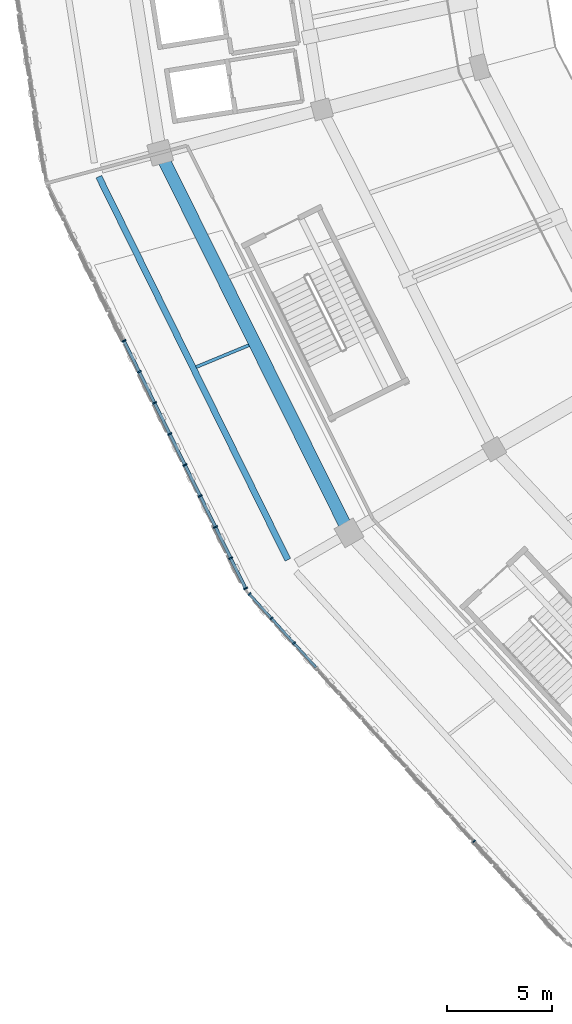
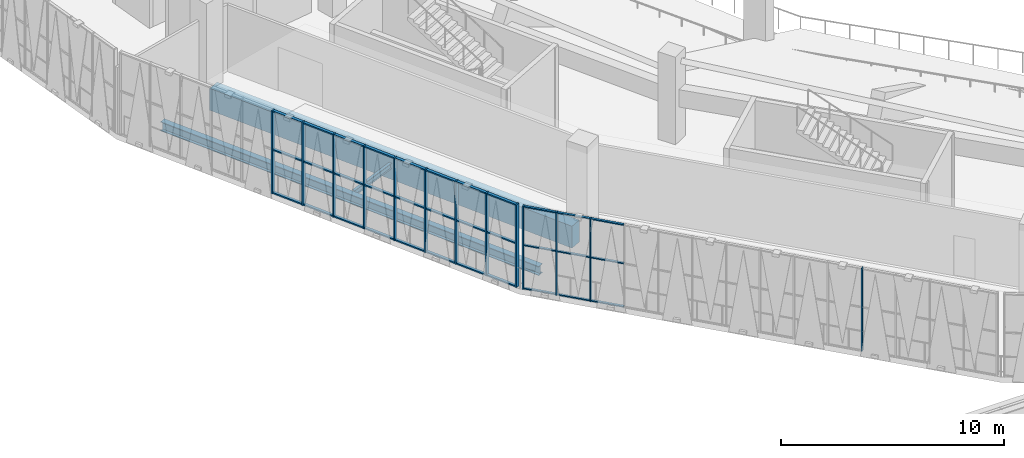
# One storey, part 7 of 152: 46 members, 3 beams, 2 elements without a shape of their own.
"""IFC4 building model written with IfcOpenShell, lengths in metres."""

import ifcopenshell
import ifcopenshell.guid

model = None  # the IFC model being written
_history = None  # IfcOwnerHistory: only IFC2X3 demands one
_inside = {}  # id of a spatial element -> (the spatial element, [elements in it])
_under = {}  # id of a project, library or spatial element -> (it, [spatial elements below it])
_declared = {}  # id of a project -> (the project, [libraries it declares])
_typed = {}  # id of a type object -> (the type object, [elements of that type])
_made_of = {}  # id of a material, layer set ... -> (it, [elements and type objects made of it])


def new_model(schema):
    """Start an empty IFC model of exactly this schema.

    Asked for "IFC4X3", IfcOpenShell would pick the latest addendum, in which some entities
    have other attributes; the version numbers below select the first issue.
    IFC2X3 requires an IfcOwnerHistory on every rooted entity: one is made here for all.
    """
    global model, _history
    if schema == "IFC4X3":
        model = ifcopenshell.file(schema_version=(4, 3, 0, 0))
    else:
        model = ifcopenshell.file(schema=schema)
    _inside.clear()
    _under.clear()
    _declared.clear()
    _typed.clear()
    _made_of.clear()
    _history = None
    if model.schema == "IFC2X3":
        org = make("IfcOrganization", Name="unknown")
        user = make(
            "IfcPersonAndOrganization",
            ThePerson=make("IfcPerson", FamilyName="unknown"),
            TheOrganization=org,
        )
        app = make(
            "IfcApplication",
            ApplicationDeveloper=org,
            Version="unknown",
            ApplicationFullName="unknown",
            ApplicationIdentifier="unknown",
        )
        _history = make(
            "IfcOwnerHistory",
            OwningUser=user,
            OwningApplication=app,
            ChangeAction="ADDED",
            CreationDate=0,
        )
    return model


def make(cls, **values):
    """One entity of the class cls with the attributes given. An attribute that is None is left unset."""
    return model.create_entity(
        cls, **{name: value for name, value in values.items() if value is not None}
    )


def rooted(cls, **values):
    """An entity with a GlobalId (a new one), such as an element, a storey or a relation."""
    return make(cls, GlobalId=ifcopenshell.guid.new(), OwnerHistory=_history, **values)


def si_unit(unit_type, name, prefix=None):
    """IfcSIUnit, for example si_unit("LENGTHUNIT", "METRE", prefix="MILLI")."""
    return make("IfcSIUnit", UnitType=unit_type, Prefix=prefix, Name=name)


def assignment(units):
    """IfcUnitAssignment: the units of a project."""
    return None if units is None else make("IfcUnitAssignment", Units=units)


def point(xyz):
    """IfcCartesianPoint."""
    return None if xyz is None else make("IfcCartesianPoint", Coordinates=xyz)


def direction(xyz):
    """IfcDirection."""
    return None if xyz is None else make("IfcDirection", DirectionRatios=xyz)


def frame(location, z_axis=None, x_axis=None):
    """IfcAxis2Placement3D, a coordinate frame: its origin and axes. An axis left out is left unset."""
    return make(
        "IfcAxis2Placement3D",
        Location=point(location),
        Axis=direction(z_axis),
        RefDirection=direction(x_axis),
    )


def frame_2d(location, x_axis=None):
    """IfcAxis2Placement2D, a coordinate frame in the plane: its origin and x axis."""
    return make(
        "IfcAxis2Placement2D", Location=point(location), RefDirection=direction(x_axis)
    )


def origin():
    """The frame at (0, 0, 0) with its axes left unset."""
    return frame((0.0, 0.0, 0.0))


def origin_2d():
    """The frame at (0, 0) in the plane with its x axis left unset."""
    return frame_2d((0.0, 0.0))


def place(relative_to, where):
    """IfcLocalPlacement: puts the frame where relative to a parent placement (None: the world)."""
    return make(
        "IfcLocalPlacement", PlacementRelTo=relative_to, RelativePlacement=where
    )


def context(
    kind, dimensions, precision=None, world=None, true_north=None, identifier=None
):
    """IfcGeometricRepresentationContext, for example the 3D "Model" context."""
    return make(
        "IfcGeometricRepresentationContext",
        ContextIdentifier=identifier,
        ContextType=kind,
        CoordinateSpaceDimension=dimensions,
        Precision=precision,
        WorldCoordinateSystem=world,
        TrueNorth=true_north,
    )


def subcontext(parent, identifier, kind, view, scale=None):
    """IfcGeometricRepresentationSubContext, for example "Body" below "Model"."""
    return make(
        "IfcGeometricRepresentationSubContext",
        ContextIdentifier=identifier,
        ContextType=kind,
        ParentContext=parent,
        TargetScale=scale,
        TargetView=view,
    )


def project(units=None, contexts=None):
    """IfcProject with its units and contexts."""
    return rooted(
        "IfcProject",
        Name="project",
        RepresentationContexts=contexts,
        UnitsInContext=assignment(units),
    )


def spatial(cls, under=None, at=None, **own):
    """A site, building, storey or space (cls), placed at a placement, below another one or the project."""
    s = rooted(cls, ObjectPlacement=at, **own)
    if under is not None:
        _under.setdefault(under.id(), (under, []))[1].append(s)
    return s


def profile(cls, at=None, kind="AREA", **sizes):
    """A parametric profile (cls). Its sizes go by their IFC names, for example OverallWidth=200.0."""
    return make(cls, ProfileType=kind, Position=at, **sizes)


def rectangle(**sizes):
    """IfcRectangleProfileDef."""
    return profile("IfcRectangleProfileDef", **sizes)


def i_section(**sizes):
    """IfcIShapeProfileDef."""
    return profile("IfcIShapeProfileDef", **sizes)


def extrude(swept, where, along, depth):
    """IfcExtrudedAreaSolid: the profile swept, set in the frame where, extruded along a direction by depth."""
    return make(
        "IfcExtrudedAreaSolid",
        SweptArea=swept,
        Position=where,
        ExtrudedDirection=direction(along),
        Depth=depth,
    )


def shape(context_of_items, identifier, shape_type, items):
    """IfcShapeRepresentation: the items that make up one representation, for example the "Body"."""
    return make(
        "IfcShapeRepresentation",
        ContextOfItems=context_of_items,
        RepresentationIdentifier=identifier,
        RepresentationType=shape_type,
        Items=items,
    )


def material(Name=None, Category=None):
    """IfcMaterial."""
    return make("IfcMaterial", Name=Name, Category=Category)


def material_profile(
    of_material, cross_section, Name=None, Category=None, Priority=None
):
    """IfcMaterialProfile: a cross section and its material."""
    return make(
        "IfcMaterialProfile",
        Name=Name,
        Material=of_material,
        Profile=cross_section,
        Priority=Priority,
        Category=Category,
    )


def profile_set(profiles, Name=None, composite=None):
    """IfcMaterialProfileSet."""
    return make(
        "IfcMaterialProfileSet",
        Name=Name,
        MaterialProfiles=profiles,
        CompositeProfile=composite,
    )


def made_of(thing, what):
    """Note that an element or type object is made of a material, layer set ...; save() writes the relation."""
    if what is not None:
        _made_of.setdefault(what.id(), (what, []))[1].append(thing)
    return thing


def type_object(cls, material=None, **own):
    """A type object (cls), such as IfcWallType, which elements share."""
    return made_of(rooted(cls, **own), material)


def element(
    cls,
    number,
    at=None,
    inside=None,
    cuts=None,
    type_object=None,
    material=None,
    context=None,
    identifier="Body",
    shape_type=None,
    held_by="IfcProductDefinitionShape",
    body=None,
    shapes=None,
    **own,
):
    """One element of the class cls, such as IfcWall. Its Tag is "e" and its number.

    at: its placement. inside: the storey or other place that contains it. cuts: it is an
    opening in that element (IfcRelVoidsElement). A single representation is given by context,
    identifier, shape_type and body (its items); several are given by shapes. held_by: the class
    of the entity that holds the representations. save() writes the other relations.
    """
    e = rooted(cls, Tag="e%d" % number, ObjectPlacement=at, **own)
    if body is not None:
        shapes = [shape(context, identifier, shape_type, body)]
    if shapes is not None:
        e.Representation = make(held_by, Representations=shapes)
    if inside is not None:
        _inside.setdefault(inside.id(), (inside, []))[1].append(e)
    if cuts is not None:
        rooted(
            "IfcRelVoidsElement", RelatingBuildingElement=cuts, RelatedOpeningElement=e
        )
    if type_object is not None:
        _typed.setdefault(type_object.id(), (type_object, []))[1].append(e)
    return made_of(e, material)


def aggregate(whole, parts):
    """IfcRelAggregates: a whole, such as a stair, and the parts it consists of."""
    return rooted("IfcRelAggregates", RelatingObject=whole, RelatedObjects=parts)


def save(model, path):
    """Write the relations noted so far, then the file.

    IfcRelAggregates (storeys below a building ...), IfcRelContainedInSpatialStructure (elements
    in a storey), IfcRelDefinesByType, IfcRelAssociatesMaterial and IfcRelDeclares: one each for
    every whole, place, type object, material and project.
    """
    for whole, parts in _under.values():
        aggregate(whole, parts)
    for where, things in _inside.values():
        rooted(
            "IfcRelContainedInSpatialStructure",
            RelatedElements=things,
            RelatingStructure=where,
        )
    for kind, things in _typed.values():
        rooted("IfcRelDefinesByType", RelatedObjects=things, RelatingType=kind)
    for what, things in _made_of.values():
        rooted("IfcRelAssociatesMaterial", RelatedObjects=things, RelatingMaterial=what)
    for by, libraries in _declared.values():
        rooted("IfcRelDeclares", RelatingContext=by, RelatedDefinitions=libraries)
    model.write(path)


model = new_model("IFC4")

# Units and contexts
model_context = context("Model", 3, precision=1e-05, world=origin(), true_north=direction((0.0, 1.0)))
body_context = subcontext(model_context, "Body", "Model", "MODEL_VIEW")
ifc_project = project(units=[si_unit("LENGTHUNIT", "METRE"), si_unit("AREAUNIT", "SQUARE_METRE"), si_unit("VOLUMEUNIT", "CUBIC_METRE"), si_unit("PLANEANGLEUNIT", "RADIAN"), si_unit("MASSUNIT", "GRAM", prefix="KILO")], contexts=[model_context])

# Site, building, storey
site_placement = place(None, origin())
site = spatial("IfcSite", under=ifc_project, at=site_placement, CompositionType="ELEMENT")
building_placement = place(site_placement, origin())
building = spatial("IfcBuilding", under=site, at=building_placement, Name="Zevraka Park Crest Stadium", CompositionType="ELEMENT")
storey_placement = place(building_placement, frame((0.0, 0.0, 15.0)))
storey = spatial("IfcBuildingStorey", under=building, at=storey_placement, Name="L03", CompositionType="ELEMENT", Elevation=15.0)

# Curtain wall, members
ifc_material_1 = material(Name="Anodised architectural aluminium and laminated safety glass", Category="aluminium")
curtain_wall_type_1 = type_object("IfcCurtainWallType", Name="CW13", PredefinedType="NOTDEFINED", material=ifc_material_1)
curtain_wall_1_placement = place(storey_placement, origin())
curtain_wall_1 = element("IfcCurtainWall", 1, at=curtain_wall_1_placement, inside=storey, type_object=curtain_wall_type_1, Name="Unitised Ring Curtain Wall CW13 L03-14", PredefinedType="NOTDEFINED")
ifc_material_2 = material(Name="Anodised architectural aluminium", Category="aluminium")
ifc_material_profile_1 = material_profile(ifc_material_2, rectangle(XDim=0.159912109375, YDim=0.06005859375, at=origin_2d()), Name="ALU MULLION 160x60")
ifc_profile_set_1 = profile_set([ifc_material_profile_1], Name="Anodised architectural aluminium")
member_type_1 = type_object("IfcMemberType", Name="CM01", PredefinedType="MULLION", material=ifc_profile_set_1)
member_1_placement = place(storey_placement, frame((29.03515625, 51.427734375, 0.0), z_axis=(0.0, 0.0, 1.0), x_axis=(0.739822878481, 0.672801685845, 0.0)))
member_1 = element("IfcMember", 2, at=member_1_placement, type_object=member_type_1, Name="CW13 mullion 1", PredefinedType="MULLION", context=body_context, shape_type="SweptSolid", body=[
    extrude(rectangle(XDim=0.159912109375, YDim=0.06005859375, at=origin_2d()), origin(), (0.0, 0.0, 1.0), 4.5400390625),
])
member_2_placement = place(storey_placement, frame((30.09130859375, 50.2666015625, 0.0), z_axis=(0.0, 0.0, 1.0), x_axis=(0.739822878481, 0.672801685845, 0.0)))
member_2 = element("IfcMember", 3, at=member_2_placement, type_object=member_type_1, Name="CW13 mullion 2", PredefinedType="MULLION", context=body_context, shape_type="SweptSolid", body=[
    extrude(rectangle(XDim=0.159912109375, YDim=0.06005859375, at=origin_2d()), origin(), (0.0, 0.0, 1.0), 4.5400390625),
])
member_3_placement = place(storey_placement, frame((31.16748046875, 49.0830078125, 0.0), z_axis=(0.0, 0.0, 1.0), x_axis=(0.739822878481, 0.672801685845, 0.0)))
member_3 = element("IfcMember", 4, at=member_3_placement, type_object=member_type_1, Name="CW13 mullion 3", PredefinedType="MULLION", context=body_context, shape_type="SweptSolid", body=[
    extrude(rectangle(XDim=0.159912109375, YDim=0.06005859375, at=origin_2d()), origin(), (0.0, 0.0, 1.0), 4.5400390625),
])
member_4_placement = place(storey_placement, frame((39.77783203125, 39.614990234375, 0.0), z_axis=(0.0, 0.0, 1.0), x_axis=(0.739822878481, 0.672801685845, 0.0)))
member_4 = element("IfcMember", 5, at=member_4_placement, type_object=member_type_1, Name="CW13 mullion 11", PredefinedType="MULLION", context=body_context, shape_type="SweptSolid", body=[
    extrude(rectangle(XDim=0.159912109375, YDim=0.06005859375, at=origin_2d()), origin(), (0.0, 0.0, 1.0), 4.5400390625),
])

ifc_material_3 = material(Name="Anodised architectural aluminium and laminated safety glass", Category="aluminium")
curtain_wall_type_2 = type_object("IfcCurtainWallType", Name="CW12", PredefinedType="NOTDEFINED", material=ifc_material_3)
curtain_wall_2_placement = place(storey_placement, origin())
curtain_wall_2 = element("IfcCurtainWall", 6, at=curtain_wall_2_placement, inside=storey, type_object=curtain_wall_type_2, Name="Unitised Ring Curtain Wall CW12 L03-13", PredefinedType="NOTDEFINED")
ifc_material_4 = material(Name="Anodised architectural aluminium", Category="aluminium")
ifc_material_profile_2 = material_profile(ifc_material_4, rectangle(XDim=0.199951171875, YDim=0.070068359375, at=origin_2d()), Name="ALU MULLION 200x70")
ifc_profile_set_2 = profile_set([ifc_material_profile_2], Name="Anodised architectural aluminium")
member_type_2 = type_object("IfcMemberType", Name="CM03", PredefinedType="MULLION", material=ifc_profile_set_2)
member_5_placement = place(storey_placement, frame((23.046142578125, 63.52880859375, 0.0), z_axis=(0.0, 0.0, 1.0), x_axis=(0.897670958396, 0.440666370912, 0.0)))
member_5 = element("IfcMember", 7, at=member_5_placement, type_object=member_type_2, Name="CW12 mullion 6", PredefinedType="MULLION", context=body_context, shape_type="SweptSolid", body=[
    extrude(rectangle(XDim=0.199951171875, YDim=0.070068359375, at=origin_2d()), origin(), (0.0, 0.0, 1.0), 4.5400390625),
])
member_6_placement = place(storey_placement, frame((23.7744140625, 62.045166015625, 0.0), z_axis=(0.0, 0.0, 1.0), x_axis=(0.897670958396, 0.440666370912, 0.0)))
member_6 = element("IfcMember", 8, at=member_6_placement, type_object=member_type_2, Name="CW12 mullion 7", PredefinedType="MULLION", context=body_context, shape_type="SweptSolid", body=[
    extrude(rectangle(XDim=0.199951171875, YDim=0.070068359375, at=origin_2d()), origin(), (0.0, 0.0, 1.0), 4.5400390625),
])
member_7_placement = place(storey_placement, frame((24.502685546875, 60.561767578125, 0.0), z_axis=(0.0, 0.0, 1.0), x_axis=(0.897670958396, 0.440666370912, 0.0)))
member_7 = element("IfcMember", 9, at=member_7_placement, type_object=member_type_2, Name="CW12 mullion 8", PredefinedType="MULLION", context=body_context, shape_type="SweptSolid", body=[
    extrude(rectangle(XDim=0.199951171875, YDim=0.070068359375, at=origin_2d()), origin(), (0.0, 0.0, 1.0), 4.5400390625),
])
member_8_placement = place(storey_placement, frame((25.23095703125, 59.078369140625, 0.0), z_axis=(0.0, 0.0, 1.0), x_axis=(0.897670958396, 0.440666370912, 0.0)))
member_8 = element("IfcMember", 10, at=member_8_placement, type_object=member_type_2, Name="CW12 mullion 9", PredefinedType="MULLION", context=body_context, shape_type="SweptSolid", body=[
    extrude(rectangle(XDim=0.199951171875, YDim=0.070068359375, at=origin_2d()), origin(), (0.0, 0.0, 1.0), 4.5400390625),
])
member_9_placement = place(storey_placement, frame((25.958984375, 57.5947265625, 0.0), z_axis=(0.0, 0.0, 1.0), x_axis=(0.897670958396, 0.440666370912, 0.0)))
member_9 = element("IfcMember", 11, at=member_9_placement, type_object=member_type_2, Name="CW12 mullion 10", PredefinedType="MULLION", context=body_context, shape_type="SweptSolid", body=[
    extrude(rectangle(XDim=0.199951171875, YDim=0.070068359375, at=origin_2d()), origin(), (0.0, 0.0, 1.0), 4.5400390625),
])
member_10_placement = place(storey_placement, frame((26.687255859375, 56.111328125, 0.0), z_axis=(0.0, 0.0, 1.0), x_axis=(0.897670958396, 0.440666370912, 0.0)))
member_10 = element("IfcMember", 12, at=member_10_placement, type_object=member_type_2, Name="CW12 mullion 11", PredefinedType="MULLION", context=body_context, shape_type="SweptSolid", body=[
    extrude(rectangle(XDim=0.199951171875, YDim=0.070068359375, at=origin_2d()), origin(), (0.0, 0.0, 1.0), 4.5400390625),
])
member_11_placement = place(storey_placement, frame((27.41552734375, 54.6279296875, 0.0), z_axis=(0.0, 0.0, 1.0), x_axis=(0.897670958396, 0.440666370912, 0.0)))
member_11 = element("IfcMember", 13, at=member_11_placement, type_object=member_type_2, Name="CW12 mullion 12", PredefinedType="MULLION", context=body_context, shape_type="SweptSolid", body=[
    extrude(rectangle(XDim=0.199951171875, YDim=0.070068359375, at=origin_2d()), origin(), (0.0, 0.0, 1.0), 4.5400390625),
])
member_12_placement = place(storey_placement, frame((28.143798828125, 53.14453125, 0.0), z_axis=(0.0, 0.0, 1.0), x_axis=(0.897670958396, 0.440666370912, 0.0)))
member_12 = element("IfcMember", 14, at=member_12_placement, type_object=member_type_2, Name="CW12 mullion 13", PredefinedType="MULLION", context=body_context, shape_type="SweptSolid", body=[
    extrude(rectangle(XDim=0.199951171875, YDim=0.070068359375, at=origin_2d()), origin(), (0.0, 0.0, 1.0), 4.5400390625),
])
member_13_placement = place(storey_placement, frame((28.856689453125, 51.6923828125, 0.0), z_axis=(0.0, 0.0, 1.0), x_axis=(0.897670958396, 0.440666370912, 0.0)))
member_13 = element("IfcMember", 15, at=member_13_placement, type_object=member_type_2, Name="CW12 mullion 14", PredefinedType="MULLION", context=body_context, shape_type="SweptSolid", body=[
    extrude(rectangle(XDim=0.199951171875, YDim=0.070068359375, at=origin_2d()), origin(), (0.0, 0.0, 1.0), 4.5400390625),
])

# Member
ifc_material_5 = material(Name="Anodised architectural aluminium", Category="aluminium")
ifc_material_profile_3 = material_profile(ifc_material_5, rectangle(XDim=0.1201171875, YDim=0.06005859375, at=origin_2d()), Name="ALU TRANSOM 120x60")
ifc_profile_set_3 = profile_set([ifc_material_profile_3], Name="Anodised architectural aluminium")
member_type_3 = type_object("IfcMemberType", Name="CT01", PredefinedType="USERDEFINED", material=ifc_profile_set_3)
member_14_placement = place(storey_placement, frame((29.055419921875, 51.405517578125, 0.030029296875), z_axis=(0.672753283904, -0.739866892756, 0.0), x_axis=(0.739866892756, 0.672753283904, 0.0)))
member_14 = element("IfcMember", 16, at=member_14_placement, type_object=member_type_3, Name="CW13 transom 1.1", ObjectType="TRANSOM", PredefinedType="USERDEFINED", context=body_context, shape_type="SweptSolid", body=[
    extrude(rectangle(XDim=0.1201171875, YDim=0.06005859375, at=origin_2d()), origin(), (0.0, 0.0, 1.0), 1.509765625),
])

member_15_placement = place(storey_placement, frame((29.055419921875, 51.405517578125, 2.39990234375), z_axis=(0.672753283904, -0.739866892756, 0.0), x_axis=(0.739866892756, 0.672753283904, 0.0)))
member_15 = element("IfcMember", 17, at=member_15_placement, type_object=member_type_3, Name="CW13 transom 1.2", ObjectType="TRANSOM", PredefinedType="USERDEFINED", context=body_context, shape_type="SweptSolid", body=[
    extrude(rectangle(XDim=0.1201171875, YDim=0.06005859375, at=origin_2d()), origin(), (0.0, 0.0, 1.0), 1.509765625),
])

member_16_placement = place(storey_placement, frame((29.055419921875, 51.405517578125, 4.510009765625), z_axis=(0.672753283904, -0.739866892756, 0.0), x_axis=(0.739866892756, 0.672753283904, 0.0)))
member_16 = element("IfcMember", 18, at=member_16_placement, type_object=member_type_3, Name="CW13 transom 1.3", ObjectType="TRANSOM", PredefinedType="USERDEFINED", context=body_context, shape_type="SweptSolid", body=[
    extrude(rectangle(XDim=0.1201171875, YDim=0.06005859375, at=origin_2d()), origin(), (0.0, 0.0, 1.0), 1.509765625),
])

member_17_placement = place(storey_placement, frame((30.111572265625, 50.244384765625, 0.030029296875), z_axis=(0.672775385986, -0.739846794959, 0.0), x_axis=(0.739846794959, 0.672775385986, 0.0)))
member_17 = element("IfcMember", 19, at=member_17_placement, type_object=member_type_3, Name="CW13 transom 2.1", ObjectType="TRANSOM", PredefinedType="USERDEFINED", context=body_context, shape_type="SweptSolid", body=[
    extrude(rectangle(XDim=0.1201171875, YDim=0.06005859375, at=origin_2d()), origin(), (0.0, 0.0, 1.0), 1.539794921875),
])

member_18_placement = place(storey_placement, frame((30.111572265625, 50.244384765625, 2.39990234375), z_axis=(0.672775385986, -0.739846794959, 0.0), x_axis=(0.739846794959, 0.672775385986, 0.0)))
member_18 = element("IfcMember", 20, at=member_18_placement, type_object=member_type_3, Name="CW13 transom 2.2", ObjectType="TRANSOM", PredefinedType="USERDEFINED", context=body_context, shape_type="SweptSolid", body=[
    extrude(rectangle(XDim=0.1201171875, YDim=0.06005859375, at=origin_2d()), origin(), (0.0, 0.0, 1.0), 1.539794921875),
])

member_19_placement = place(storey_placement, frame((30.111572265625, 50.244384765625, 4.510009765625), z_axis=(0.672775385986, -0.739846794959, 0.0), x_axis=(0.739846794959, 0.672775385986, 0.0)))
member_19 = element("IfcMember", 21, at=member_19_placement, type_object=member_type_3, Name="CW13 transom 2.3", ObjectType="TRANSOM", PredefinedType="USERDEFINED", context=body_context, shape_type="SweptSolid", body=[
    extrude(rectangle(XDim=0.1201171875, YDim=0.06005859375, at=origin_2d()), origin(), (0.0, 0.0, 1.0), 1.539794921875),
])

member_20_placement = place(storey_placement, frame((31.187744140625, 49.060791015625, 0.030029296875), z_axis=(0.672775385986, -0.739846794959, 0.0), x_axis=(0.739846794959, 0.672775385986, 0.0)))
member_20 = element("IfcMember", 22, at=member_20_placement, type_object=member_type_3, Name="CW13 transom 3.1", ObjectType="TRANSOM", PredefinedType="USERDEFINED", context=body_context, shape_type="SweptSolid", body=[
    extrude(rectangle(XDim=0.1201171875, YDim=0.06005859375, at=origin_2d()), origin(), (0.0, 0.0, 1.0), 1.539794921875),
])

member_21_placement = place(storey_placement, frame((31.187744140625, 49.060791015625, 2.39990234375), z_axis=(0.672775385986, -0.739846794959, 0.0), x_axis=(0.739846794959, 0.672775385986, 0.0)))
member_21 = element("IfcMember", 23, at=member_21_placement, type_object=member_type_3, Name="CW13 transom 3.2", ObjectType="TRANSOM", PredefinedType="USERDEFINED", context=body_context, shape_type="SweptSolid", body=[
    extrude(rectangle(XDim=0.1201171875, YDim=0.06005859375, at=origin_2d()), origin(), (0.0, 0.0, 1.0), 1.539794921875),
])

member_22_placement = place(storey_placement, frame((31.187744140625, 49.060791015625, 4.510009765625), z_axis=(0.672775385986, -0.739846794959, 0.0), x_axis=(0.739846794959, 0.672775385986, 0.0)))
member_22 = element("IfcMember", 24, at=member_22_placement, type_object=member_type_3, Name="CW13 transom 3.3", ObjectType="TRANSOM", PredefinedType="USERDEFINED", context=body_context, shape_type="SweptSolid", body=[
    extrude(rectangle(XDim=0.1201171875, YDim=0.06005859375, at=origin_2d()), origin(), (0.0, 0.0, 1.0), 1.539794921875),
])

aggregate(curtain_wall_1, [member_1, member_2, member_3, member_4, member_14, member_15, member_16, member_17, member_18, member_19, member_20, member_21, member_22])

ifc_material_6 = material(Name="Anodised architectural aluminium", Category="aluminium")
ifc_material_profile_4 = material_profile(ifc_material_6, rectangle(XDim=0.14990234375, YDim=0.070068359375, at=origin_2d()), Name="ALU TRANSOM 150x70")
ifc_profile_set_4 = profile_set([ifc_material_profile_4], Name="Anodised architectural aluminium")
member_type_4 = type_object("IfcMemberType", Name="CT03", PredefinedType="USERDEFINED", material=ifc_profile_set_4)
member_23_placement = place(storey_placement, frame((23.0615234375, 63.497314453125, 0.034912109375), z_axis=(0.440722911723, -0.897643200321, 0.0), x_axis=(0.897643200321, 0.440722911723, 0.0)))
member_23 = element("IfcMember", 25, at=member_23_placement, type_object=member_type_4, Name="CW12 transom 6.1", ObjectType="TRANSOM", PredefinedType="USERDEFINED", context=body_context, shape_type="SweptSolid", body=[
    extrude(rectangle(XDim=0.14990234375, YDim=0.070068359375, at=origin_2d()), origin(), (0.0, 0.0, 1.0), 1.582763671875),
])

member_24_placement = place(storey_placement, frame((23.0615234375, 63.497314453125, 2.39990234375), z_axis=(0.440722911723, -0.897643200321, 0.0), x_axis=(0.897643200321, 0.440722911723, 0.0)))
member_24 = element("IfcMember", 26, at=member_24_placement, type_object=member_type_4, Name="CW12 transom 6.2", ObjectType="TRANSOM", PredefinedType="USERDEFINED", context=body_context, shape_type="SweptSolid", body=[
    extrude(rectangle(XDim=0.14990234375, YDim=0.070068359375, at=origin_2d()), origin(), (0.0, 0.0, 1.0), 1.582763671875),
])

member_25_placement = place(storey_placement, frame((23.0615234375, 63.497314453125, 4.5048828125), z_axis=(0.440722911723, -0.897643200321, 0.0), x_axis=(0.897643200321, 0.440722911723, 0.0)))
member_25 = element("IfcMember", 27, at=member_25_placement, type_object=member_type_4, Name="CW12 transom 6.3", ObjectType="TRANSOM", PredefinedType="USERDEFINED", context=body_context, shape_type="SweptSolid", body=[
    extrude(rectangle(XDim=0.14990234375, YDim=0.070068359375, at=origin_2d()), origin(), (0.0, 0.0, 1.0), 1.582763671875),
])

member_26_placement = place(storey_placement, frame((23.789794921875, 62.013916015625, 0.034912109375), z_axis=(0.440722911723, -0.897643200321, 0.0), x_axis=(0.897643200321, 0.440722911723, 0.0)))
member_26 = element("IfcMember", 28, at=member_26_placement, type_object=member_type_4, Name="CW12 transom 7.1", ObjectType="TRANSOM", PredefinedType="USERDEFINED", context=body_context, shape_type="SweptSolid", body=[
    extrude(rectangle(XDim=0.14990234375, YDim=0.070068359375, at=origin_2d()), origin(), (0.0, 0.0, 1.0), 1.582763671875),
])

member_27_placement = place(storey_placement, frame((23.789794921875, 62.013916015625, 2.39990234375), z_axis=(0.440722911723, -0.897643200321, 0.0), x_axis=(0.897643200321, 0.440722911723, 0.0)))
member_27 = element("IfcMember", 29, at=member_27_placement, type_object=member_type_4, Name="CW12 transom 7.2", ObjectType="TRANSOM", PredefinedType="USERDEFINED", context=body_context, shape_type="SweptSolid", body=[
    extrude(rectangle(XDim=0.14990234375, YDim=0.070068359375, at=origin_2d()), origin(), (0.0, 0.0, 1.0), 1.582763671875),
])

member_28_placement = place(storey_placement, frame((23.789794921875, 62.013916015625, 4.5048828125), z_axis=(0.440722911723, -0.897643200321, 0.0), x_axis=(0.897643200321, 0.440722911723, 0.0)))
member_28 = element("IfcMember", 30, at=member_28_placement, type_object=member_type_4, Name="CW12 transom 7.3", ObjectType="TRANSOM", PredefinedType="USERDEFINED", context=body_context, shape_type="SweptSolid", body=[
    extrude(rectangle(XDim=0.14990234375, YDim=0.070068359375, at=origin_2d()), origin(), (0.0, 0.0, 1.0), 1.582763671875),
])

member_29_placement = place(storey_placement, frame((24.51806640625, 60.5302734375, 0.034912109375), z_axis=(0.440598601408, -0.897704223248, 0.0), x_axis=(0.897704223248, 0.440598601408, 0.0)))
member_29 = element("IfcMember", 31, at=member_29_placement, type_object=member_type_4, Name="CW12 transom 8.1", ObjectType="TRANSOM", PredefinedType="USERDEFINED", context=body_context, shape_type="SweptSolid", body=[
    extrude(rectangle(XDim=0.14990234375, YDim=0.070068359375, at=origin_2d()), origin(), (0.0, 0.0, 1.0), 1.58251953125),
])

member_30_placement = place(storey_placement, frame((24.51806640625, 60.5302734375, 2.39990234375), z_axis=(0.440598601408, -0.897704223248, 0.0), x_axis=(0.897704223248, 0.440598601408, 0.0)))
member_30 = element("IfcMember", 32, at=member_30_placement, type_object=member_type_4, Name="CW12 transom 8.2", ObjectType="TRANSOM", PredefinedType="USERDEFINED", context=body_context, shape_type="SweptSolid", body=[
    extrude(rectangle(XDim=0.14990234375, YDim=0.070068359375, at=origin_2d()), origin(), (0.0, 0.0, 1.0), 1.58251953125),
])

member_31_placement = place(storey_placement, frame((24.51806640625, 60.5302734375, 4.5048828125), z_axis=(0.440598601408, -0.897704223248, 0.0), x_axis=(0.897704223248, 0.440598601408, 0.0)))
member_31 = element("IfcMember", 33, at=member_31_placement, type_object=member_type_4, Name="CW12 transom 8.3", ObjectType="TRANSOM", PredefinedType="USERDEFINED", context=body_context, shape_type="SweptSolid", body=[
    extrude(rectangle(XDim=0.14990234375, YDim=0.070068359375, at=origin_2d()), origin(), (0.0, 0.0, 1.0), 1.58251953125),
])

member_32_placement = place(storey_placement, frame((25.246337890625, 59.046875, 0.034912109375), z_axis=(0.440598601408, -0.897704223248, 0.0), x_axis=(0.897704223248, 0.440598601408, 0.0)))
member_32 = element("IfcMember", 34, at=member_32_placement, type_object=member_type_4, Name="CW12 transom 9.1", ObjectType="TRANSOM", PredefinedType="USERDEFINED", context=body_context, shape_type="SweptSolid", body=[
    extrude(rectangle(XDim=0.14990234375, YDim=0.070068359375, at=origin_2d()), origin(), (0.0, 0.0, 1.0), 1.58251953125),
])

member_33_placement = place(storey_placement, frame((25.246337890625, 59.046875, 2.39990234375), z_axis=(0.440598601408, -0.897704223248, 0.0), x_axis=(0.897704223248, 0.440598601408, 0.0)))
member_33 = element("IfcMember", 35, at=member_33_placement, type_object=member_type_4, Name="CW12 transom 9.2", ObjectType="TRANSOM", PredefinedType="USERDEFINED", context=body_context, shape_type="SweptSolid", body=[
    extrude(rectangle(XDim=0.14990234375, YDim=0.070068359375, at=origin_2d()), origin(), (0.0, 0.0, 1.0), 1.58251953125),
])

member_34_placement = place(storey_placement, frame((25.246337890625, 59.046875, 4.5048828125), z_axis=(0.440598601408, -0.897704223248, 0.0), x_axis=(0.897704223248, 0.440598601408, 0.0)))
member_34 = element("IfcMember", 36, at=member_34_placement, type_object=member_type_4, Name="CW12 transom 9.3", ObjectType="TRANSOM", PredefinedType="USERDEFINED", context=body_context, shape_type="SweptSolid", body=[
    extrude(rectangle(XDim=0.14990234375, YDim=0.070068359375, at=origin_2d()), origin(), (0.0, 0.0, 1.0), 1.58251953125),
])

member_35_placement = place(storey_placement, frame((25.974609375, 57.5634765625, 0.034912109375), z_axis=(0.440598601408, -0.897704223248, 0.0), x_axis=(0.897704223248, 0.440598601408, 0.0)))
member_35 = element("IfcMember", 37, at=member_35_placement, type_object=member_type_4, Name="CW12 transom 10.1", ObjectType="TRANSOM", PredefinedType="USERDEFINED", context=body_context, shape_type="SweptSolid", body=[
    extrude(rectangle(XDim=0.14990234375, YDim=0.070068359375, at=origin_2d()), origin(), (0.0, 0.0, 1.0), 1.58251953125),
])

member_36_placement = place(storey_placement, frame((25.974609375, 57.5634765625, 2.39990234375), z_axis=(0.440598601408, -0.897704223248, 0.0), x_axis=(0.897704223248, 0.440598601408, 0.0)))
member_36 = element("IfcMember", 38, at=member_36_placement, type_object=member_type_4, Name="CW12 transom 10.2", ObjectType="TRANSOM", PredefinedType="USERDEFINED", context=body_context, shape_type="SweptSolid", body=[
    extrude(rectangle(XDim=0.14990234375, YDim=0.070068359375, at=origin_2d()), origin(), (0.0, 0.0, 1.0), 1.58251953125),
])

member_37_placement = place(storey_placement, frame((25.974609375, 57.5634765625, 4.5048828125), z_axis=(0.440598601408, -0.897704223248, 0.0), x_axis=(0.897704223248, 0.440598601408, 0.0)))
member_37 = element("IfcMember", 39, at=member_37_placement, type_object=member_type_4, Name="CW12 transom 10.3", ObjectType="TRANSOM", PredefinedType="USERDEFINED", context=body_context, shape_type="SweptSolid", body=[
    extrude(rectangle(XDim=0.14990234375, YDim=0.070068359375, at=origin_2d()), origin(), (0.0, 0.0, 1.0), 1.58251953125),
])

member_38_placement = place(storey_placement, frame((26.70263671875, 56.080078125, 0.034912109375), z_axis=(0.440722911723, -0.897643200321, 0.0), x_axis=(0.897643200321, 0.440722911723, 0.0)))
member_38 = element("IfcMember", 40, at=member_38_placement, type_object=member_type_4, Name="CW12 transom 11.1", ObjectType="TRANSOM", PredefinedType="USERDEFINED", context=body_context, shape_type="SweptSolid", body=[
    extrude(rectangle(XDim=0.14990234375, YDim=0.070068359375, at=origin_2d()), origin(), (0.0, 0.0, 1.0), 1.582763671875),
])

member_39_placement = place(storey_placement, frame((26.70263671875, 56.080078125, 2.39990234375), z_axis=(0.440722911723, -0.897643200321, 0.0), x_axis=(0.897643200321, 0.440722911723, 0.0)))
member_39 = element("IfcMember", 41, at=member_39_placement, type_object=member_type_4, Name="CW12 transom 11.2", ObjectType="TRANSOM", PredefinedType="USERDEFINED", context=body_context, shape_type="SweptSolid", body=[
    extrude(rectangle(XDim=0.14990234375, YDim=0.070068359375, at=origin_2d()), origin(), (0.0, 0.0, 1.0), 1.582763671875),
])

member_40_placement = place(storey_placement, frame((26.70263671875, 56.080078125, 4.5048828125), z_axis=(0.440722911723, -0.897643200321, 0.0), x_axis=(0.897643200321, 0.440722911723, 0.0)))
member_40 = element("IfcMember", 42, at=member_40_placement, type_object=member_type_4, Name="CW12 transom 11.3", ObjectType="TRANSOM", PredefinedType="USERDEFINED", context=body_context, shape_type="SweptSolid", body=[
    extrude(rectangle(XDim=0.14990234375, YDim=0.070068359375, at=origin_2d()), origin(), (0.0, 0.0, 1.0), 1.582763671875),
])

member_41_placement = place(storey_placement, frame((27.430908203125, 54.596435546875, 0.034912109375), z_axis=(0.440722911723, -0.897643200321, 0.0), x_axis=(0.897643200321, 0.440722911723, 0.0)))
member_41 = element("IfcMember", 43, at=member_41_placement, type_object=member_type_4, Name="CW12 transom 12.1", ObjectType="TRANSOM", PredefinedType="USERDEFINED", context=body_context, shape_type="SweptSolid", body=[
    extrude(rectangle(XDim=0.14990234375, YDim=0.070068359375, at=origin_2d()), origin(), (0.0, 0.0, 1.0), 1.582763671875),
])

member_42_placement = place(storey_placement, frame((27.430908203125, 54.596435546875, 2.39990234375), z_axis=(0.440722911723, -0.897643200321, 0.0), x_axis=(0.897643200321, 0.440722911723, 0.0)))
member_42 = element("IfcMember", 44, at=member_42_placement, type_object=member_type_4, Name="CW12 transom 12.2", ObjectType="TRANSOM", PredefinedType="USERDEFINED", context=body_context, shape_type="SweptSolid", body=[
    extrude(rectangle(XDim=0.14990234375, YDim=0.070068359375, at=origin_2d()), origin(), (0.0, 0.0, 1.0), 1.582763671875),
])

member_43_placement = place(storey_placement, frame((27.430908203125, 54.596435546875, 4.5048828125), z_axis=(0.440722911723, -0.897643200321, 0.0), x_axis=(0.897643200321, 0.440722911723, 0.0)))
member_43 = element("IfcMember", 45, at=member_43_placement, type_object=member_type_4, Name="CW12 transom 12.3", ObjectType="TRANSOM", PredefinedType="USERDEFINED", context=body_context, shape_type="SweptSolid", body=[
    extrude(rectangle(XDim=0.14990234375, YDim=0.070068359375, at=origin_2d()), origin(), (0.0, 0.0, 1.0), 1.582763671875),
])

member_44_placement = place(storey_placement, frame((28.1591796875, 53.113037109375, 0.034912109375), z_axis=(0.440638518925, -0.897684630391, 0.0), x_axis=(0.897684630391, 0.440638518925, 0.0)))
member_44 = element("IfcMember", 46, at=member_44_placement, type_object=member_type_4, Name="CW12 transom 13.1", ObjectType="TRANSOM", PredefinedType="USERDEFINED", context=body_context, shape_type="SweptSolid", body=[
    extrude(rectangle(XDim=0.14990234375, YDim=0.070068359375, at=origin_2d()), origin(), (0.0, 0.0, 1.0), 1.547607421875),
])

member_45_placement = place(storey_placement, frame((28.1591796875, 53.113037109375, 2.39990234375), z_axis=(0.440638518925, -0.897684630391, 0.0), x_axis=(0.897684630391, 0.440638518925, 0.0)))
member_45 = element("IfcMember", 47, at=member_45_placement, type_object=member_type_4, Name="CW12 transom 13.2", ObjectType="TRANSOM", PredefinedType="USERDEFINED", context=body_context, shape_type="SweptSolid", body=[
    extrude(rectangle(XDim=0.14990234375, YDim=0.070068359375, at=origin_2d()), origin(), (0.0, 0.0, 1.0), 1.547607421875),
])

member_46_placement = place(storey_placement, frame((28.1591796875, 53.113037109375, 4.5048828125), z_axis=(0.440638518925, -0.897684630391, 0.0), x_axis=(0.897684630391, 0.440638518925, 0.0)))
member_46 = element("IfcMember", 48, at=member_46_placement, type_object=member_type_4, Name="CW12 transom 13.3", ObjectType="TRANSOM", PredefinedType="USERDEFINED", context=body_context, shape_type="SweptSolid", body=[
    extrude(rectangle(XDim=0.14990234375, YDim=0.070068359375, at=origin_2d()), origin(), (0.0, 0.0, 1.0), 1.547607421875),
])

aggregate(curtain_wall_2, [member_5, member_6, member_7, member_8, member_9, member_10, member_11, member_12, member_13, member_23, member_24, member_25, member_26, member_27, member_28, member_29, member_30, member_31, member_32, member_33, member_34, member_35, member_36, member_37, member_38, member_39, member_40, member_41, member_42, member_43, member_44, member_45, member_46])

# Beams
ifc_material_7 = material(Name="Concrete C40/50", Category="concrete")
ifc_material_profile_5 = material_profile(ifc_material_7, rectangle(XDim=0.60009765625, YDim=1.199951171875, at=origin_2d()), Name="RC 1200x600")
ifc_profile_set_5 = profile_set([ifc_material_profile_5], Name="Concrete C40/50")
beam_type_1 = type_object("IfcBeamType", Name="RB01", PredefinedType="BEAM", material=ifc_profile_set_5)
beam_1_placement = place(storey_placement, frame((24.946044921875, 72.1708984375, -0.610107421875), z_axis=(0.444850507814, -0.895604837916, 0.0), x_axis=(0.895604837916, 0.444850507814, 0.0)))
element("IfcBeam", 49, at=beam_1_placement, inside=storey, type_object=beam_type_1, Name="Ring Beam RB01 L03-D-13", PredefinedType="BEAM", context=body_context, shape_type="SweptSolid", body=[
    extrude(rectangle(XDim=0.60009765625, YDim=1.199951171875, at=origin_2d()), origin(), (0.0, 0.0, 1.0), 19.5185546875),
])
ifc_material_8 = material(Name="Steel S355", Category="steel")
ifc_material_profile_6 = material_profile(ifc_material_8, i_section(OverallWidth=0.300048828125, OverallDepth=0.5, WebThickness=0.014404296875, FlangeThickness=0.028076171875, at=origin_2d()), Name="HEB 500")
ifc_profile_set_6 = profile_set([ifc_material_profile_6], Name="Steel S355")
beam_type_2 = type_object("IfcBeamType", Name="RB05", PredefinedType="BEAM", material=ifc_profile_set_6)
beam_2_placement = place(storey_placement, frame((21.841064453125, 71.368896484375, -0.60498046875), z_axis=(0.442446810597, -0.896794747862, 0.0), x_axis=(0.896794747862, 0.442446810597, 0.0)))
element("IfcBeam", 50, at=beam_2_placement, inside=storey, type_object=beam_type_2, Name="Ring Beam RB05 L03-E-13", PredefinedType="BEAM", context=body_context, shape_type="SweptSolid", body=[
    extrude(i_section(OverallWidth=0.300048828125, OverallDepth=0.5, WebThickness=0.014404296875, FlangeThickness=0.028076171875, at=origin_2d()), origin(), (0.0, 0.0, 1.0), 20.41162109375),
])
ifc_material_9 = material(Name="Steel S355", Category="steel")
ifc_material_profile_7 = material_profile(ifc_material_9, i_section(OverallWidth=0.14990234375, OverallDepth=0.300048828125, WebThickness=0.007080078125, FlangeThickness=0.0107421875, at=origin_2d()), Name="IPE 300")
ifc_profile_set_7 = profile_set([ifc_material_profile_7], Name="Steel S355")
beam_type_3 = type_object("IfcBeamType", Name="SJ01", PredefinedType="JOIST", material=ifc_profile_set_7)
beam_3_placement = place(storey_placement, frame((29.014892578125, 63.318115234375, -0.4580078125), z_axis=(-0.923841523408, -0.382775181571, 0.0), x_axis=(0.382775181571, -0.923841523408, 0.0)))
element("IfcBeam", 51, at=beam_3_placement, inside=storey, type_object=beam_type_3, Name="Floor Joist SJ01 L03-DE-13-1", PredefinedType="JOIST", context=body_context, shape_type="SweptSolid", body=[
    extrude(i_section(OverallWidth=0.14990234375, OverallDepth=0.300048828125, WebThickness=0.007080078125, FlangeThickness=0.0107421875, at=origin_2d()), origin(), (0.0, 0.0, 1.0), 2.733154296875),
])

save(model, "model.ifc")
